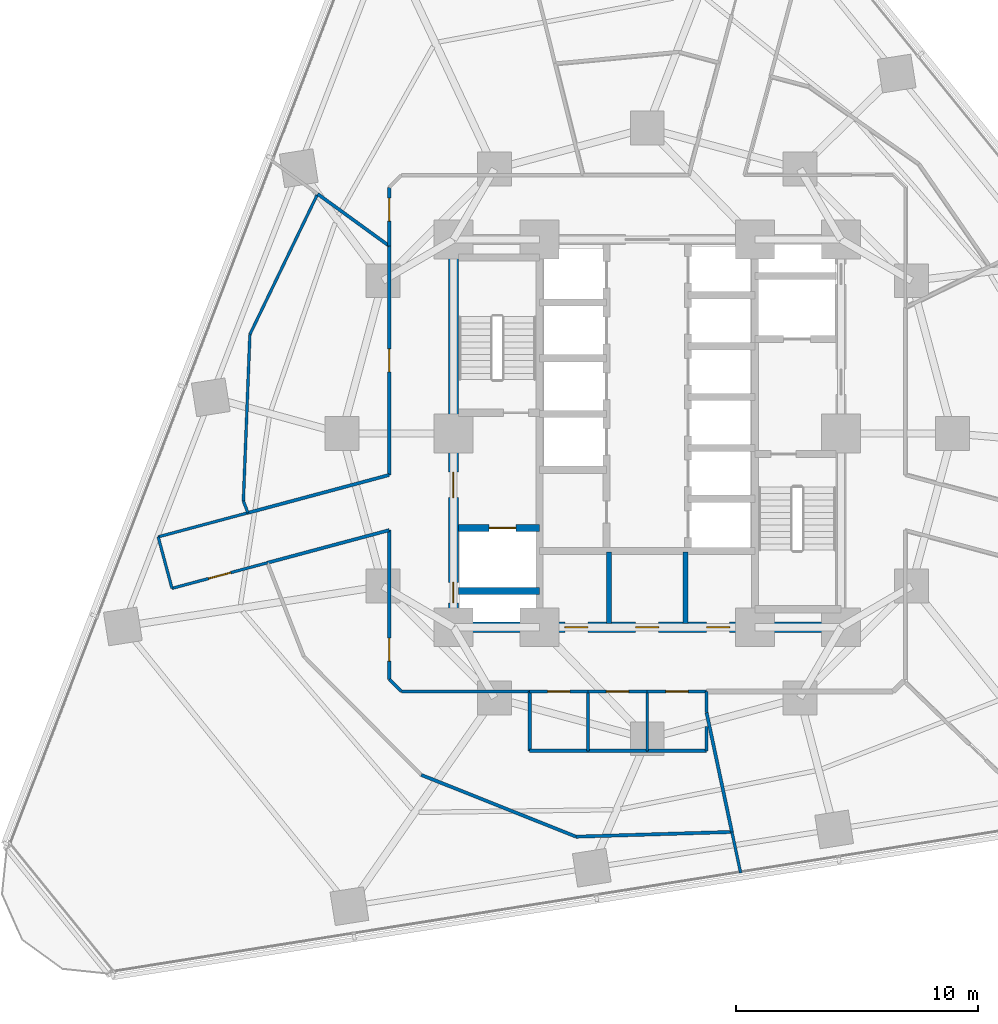
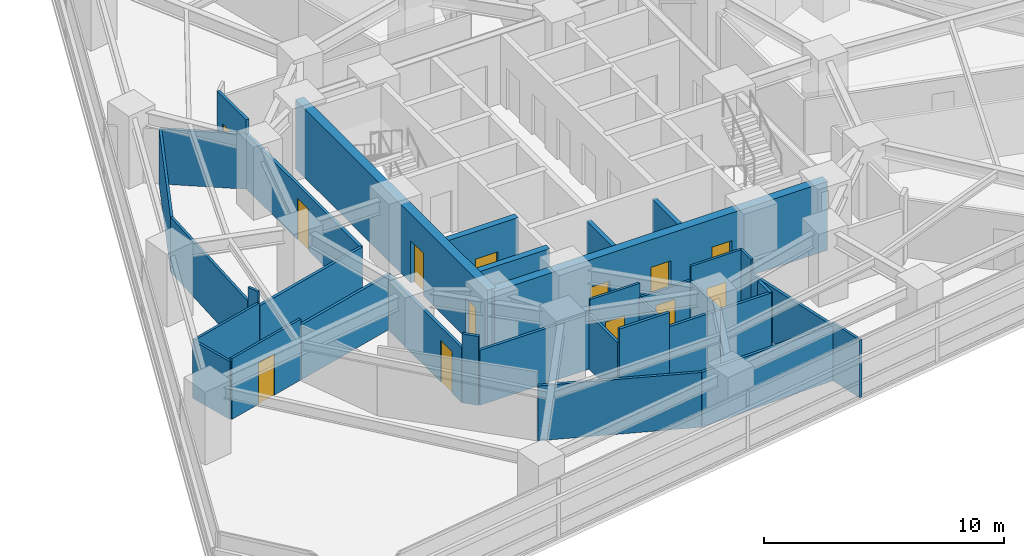
# One storey, part 7 of 14: 35 walls, 13 doors, 13 openings.
"""IFC4 building model written with IfcOpenShell, lengths in metres."""

from ifc_helpers import new_model, si_unit, direction, frame, frame_2d, origin, place, context, subcontext, project, spatial, rectangle, extrude, material, layer, layer_set, type_object, element, fill, save


model = new_model("IFC4")

# Units and contexts
model_context = context("Model", 3, precision=1e-05, world=origin(), true_north=direction((0.0, 1.0)))
body_context = subcontext(model_context, "Body", "Model", "MODEL_VIEW")
ifc_project = project(units=[si_unit("LENGTHUNIT", "METRE"), si_unit("AREAUNIT", "SQUARE_METRE"), si_unit("VOLUMEUNIT", "CUBIC_METRE"), si_unit("PLANEANGLEUNIT", "RADIAN"), si_unit("MASSUNIT", "GRAM", prefix="KILO")], contexts=[model_context])

# Site, building, storey
site_placement = place(None, origin())
site = spatial("IfcSite", under=ifc_project, at=site_placement, CompositionType="ELEMENT")
building_placement = place(site_placement, origin())
building = spatial("IfcBuilding", under=site, at=building_placement, Name="Terralouvre Media Tower", CompositionType="ELEMENT")
storey_placement = place(building_placement, frame((0.0, 0.0, 74.10009765625)))
storey = spatial("IfcBuildingStorey", under=building, at=storey_placement, Name="L18", CompositionType="ELEMENT", Elevation=74.10009765625)

# Wall, opening, door
ifc_material_1 = material(Name="Concrete C50/60", Category="concrete")
ifc_layer_1 = layer(ifc_material_1, 0.300048828125, Name="Core Internal Shaft Wall CW-300")
ifc_layer_set_1 = layer_set([ifc_layer_1], Name="Concrete C50/60")
wall_type_1 = type_object("IfcWallType", Name="Core Internal Shaft Wall CW-300", PredefinedType="SHEAR", material=ifc_layer_set_1)
wall_1_placement = place(storey_placement, frame((-7.7900390625, -3.89990234375, 0.0), z_axis=(0.0, 0.0, 1.0), x_axis=(1.0, 0.0, 0.0)))
wall_1 = element("IfcWall", 1, at=wall_1_placement, inside=storey, type_object=wall_type_1, Name="L18 Core Shaft Wall FF1N", PredefinedType="SHEAR", context=body_context, shape_type="SweptSolid", body=[
    extrude(rectangle(XDim=3.340087890625, YDim=0.300048828125, at=frame_2d((1.669921875, 0.0))), origin(), (0.0, 0.0, 1.0), 3.5),
])
opening_1_placement = place(wall_1_placement, frame((1.27001953125, 0.0, 0.0)))
opening_1 = element("IfcOpeningElement", 2, at=opening_1_placement, cuts=wall_1, Name="Opening LD-FF", PredefinedType="OPENING", context=body_context, shape_type="SweptSolid", body=[
    extrude(rectangle(XDim=1.10009765625, YDim=2.10009765625, at=frame_2d((0.550048828125, 1.050048828125))), frame((0.0, 0.159912109375, 0.0), z_axis=(0.0, -1.0, 0.0), x_axis=(1.0, 0.0, 0.0)), (0.0, 0.0, 1.0), 0.320068359375),
])
ifc_material_2 = material(Name="Stainless steel 316 handrail and balustrade", Category="steel")
door_type_1 = type_object("IfcDoorType", Name="Firefighting Lift Sliding Landing Door LD-FF", OperationType="SLIDING_TO_LEFT", PredefinedType="DOOR", material=ifc_material_2)
door_1_placement = place(opening_1_placement, origin())
door_1 = element("IfcDoor", 3, at=door_1_placement, inside=storey, type_object=door_type_1, Name="L18 Firefighting Lift FFL-01 Landing Door", OperationType="SLIDING_TO_LEFT", OverallHeight=2.10009765625, OverallWidth=1.10009765625, PredefinedType="DOOR", context=body_context, shape_type="SweptSolid", body=[
    extrude(rectangle(XDim=1.10009765625, YDim=2.10009765625, at=frame_2d((0.550048828125, 1.050048828125))), frame((0.0, 0.02490234375, 0.0), z_axis=(0.0, -1.0, 0.0), x_axis=(1.0, 0.0, 0.0)), (0.0, 0.0, 1.0), 0.050048828125),
])
fill(opening_1, door_1)

# Wall
wall_2_placement = place(storey_placement, frame((-7.7900390625, -6.5, 0.0), z_axis=(0.0, 0.0, 1.0), x_axis=(1.0, 0.0, 0.0)))
element("IfcWall", 4, at=wall_2_placement, inside=storey, type_object=wall_type_1, Name="L18 Core Shaft Wall FF1S", PredefinedType="SHEAR", context=body_context, shape_type="SweptSolid", body=[
    extrude(rectangle(XDim=3.340087890625, YDim=0.300048828125, at=frame_2d((1.669921875, 0.0))), origin(), (0.0, 0.0, 1.0), 3.5),
])

# Wall, openings, doors
ifc_material_3 = material(Name="Concrete C60/75", Category="concrete")
ifc_layer_2 = layer(ifc_material_3, 0.419921875, Name="Core Reinforced Concrete Shear Wall CW-420")
ifc_layer_set_2 = layer_set([ifc_layer_2], Name="Concrete C60/75")
wall_type_2 = type_object("IfcWallType", Name="Core Reinforced Concrete Shear Wall CW-420", PredefinedType="SHEAR", material=ifc_layer_set_2)
wall_3_placement = place(storey_placement, frame((-8.0, -8.0, 0.0), z_axis=(0.0, 0.0, 1.0), x_axis=(0.0, 1.0, 0.0)))
wall_3 = element("IfcWall", 5, at=wall_3_placement, inside=storey, type_object=wall_type_2, Name="L18 W Core Shear Wall", PredefinedType="SHEAR", context=body_context, shape_type="SweptSolid", body=[
    extrude(rectangle(XDim=16.0, YDim=0.419921875, at=frame_2d((8.0, 0.0))), origin(), (0.0, 0.0, 1.0), 3.5),
])
opening_2_placement = place(wall_3_placement, frame((1.001708984375, 0.0, 0.0)))
opening_2 = element("IfcOpeningElement", 6, at=opening_2_placement, cuts=wall_3, Name="Opening TD-R1", PredefinedType="OPENING", context=body_context, shape_type="SweptSolid", body=[
    extrude(rectangle(XDim=0.85009765625, YDim=2.02001953125, at=frame_2d((0.425048828125, 1.010009765625))), frame((0.0, 0.219970703125, 0.0), z_axis=(0.0, -1.0, 0.0), x_axis=(1.0, 0.0, 0.0)), (0.0, 0.0, 1.0), 0.43994140625),
])
opening_3_placement = place(wall_3_placement, frame((5.35009765625, 0.0, 0.0)))
opening_3 = element("IfcOpeningElement", 7, at=opening_3_placement, cuts=wall_3, Name="Opening FD-01-105X215", PredefinedType="OPENING", context=body_context, shape_type="SweptSolid", body=[
    extrude(rectangle(XDim=1.050048828125, YDim=2.14990234375, at=frame_2d((0.52490234375, 1.074951171875))), frame((0.0, 0.219970703125, 0.0), z_axis=(0.0, -1.0, 0.0), x_axis=(1.0, 0.0, 0.0)), (0.0, 0.0, 1.0), 0.43994140625),
])
ifc_material_4 = material(Name="Galvanised steel fire-resisting leaf", Category="steel")
door_type_2 = type_object("IfcDoorType", Name="Riser Inspection Access Trapdoor TD-R1", OperationType="NOTDEFINED", PredefinedType="TRAPDOOR", material=ifc_material_4)
door_2_placement = place(opening_2_placement, origin())
door_2 = element("IfcDoor", 8, at=door_2_placement, inside=storey, type_object=door_type_2, Name="L18 Wet Riser Access Trapdoor", OperationType="SINGLE_SWING_LEFT", OverallHeight=2.02001953125, OverallWidth=0.85009765625, PredefinedType="TRAPDOOR", context=body_context, shape_type="SweptSolid", body=[
    extrude(rectangle(XDim=0.85009765625, YDim=2.02001953125, at=frame_2d((0.425048828125, 1.010009765625))), frame((0.0, 0.02490234375, 0.0), z_axis=(0.0, -1.0, 0.0), x_axis=(1.0, 0.0, 0.0)), (0.0, 0.0, 1.0), 0.050048828125),
])
fill(opening_2, door_2)
ifc_material_5 = material(Name="Galvanised steel fire-resisting leaf", Category="steel")
door_type_3 = type_object("IfcDoorType", Name="Stair and Firefighting Lobby Fire Door FD-01 (1050x2150)", OperationType="NOTDEFINED", PredefinedType="DOOR", material=ifc_material_5)
door_3_placement = place(opening_3_placement, origin())
door_3 = element("IfcDoor", 9, at=door_3_placement, inside=storey, type_object=door_type_3, Name="L18 West Firefighting Lobby Entry Door", OperationType="SINGLE_SWING_RIGHT", OverallHeight=2.14990234375, OverallWidth=1.050048828125, PredefinedType="DOOR", context=body_context, shape_type="SweptSolid", body=[
    extrude(rectangle(XDim=1.050048828125, YDim=2.14990234375, at=frame_2d((0.52490234375, 1.074951171875))), frame((0.0, 0.02490234375, 0.0), z_axis=(0.0, -1.0, 0.0), x_axis=(1.0, 0.0, 0.0)), (0.0, 0.0, 1.0), 0.050048828125),
])
fill(opening_3, door_3)

wall_4_placement = place(storey_placement, frame((-8.0, -8.0, 0.0), z_axis=(0.0, 0.0, 1.0), x_axis=(1.0, 0.0, 0.0)))
wall_4 = element("IfcWall", 10, at=wall_4_placement, inside=storey, type_object=wall_type_2, Name="L18 S Core Shear Wall", PredefinedType="SHEAR", context=body_context, shape_type="SweptSolid", body=[
    extrude(rectangle(XDim=16.0, YDim=0.419921875, at=frame_2d((8.0, 0.0))), origin(), (0.0, 0.0, 1.0), 3.5),
])
opening_4_placement = place(wall_4_placement, frame((4.60009765625, 0.0, 0.0)))
opening_4 = element("IfcOpeningElement", 11, at=opening_4_placement, cuts=wall_4, Name="Opening FD-02-95X210", PredefinedType="OPENING", context=body_context, shape_type="SweptSolid", body=[
    extrude(rectangle(XDim=0.949951171875, YDim=2.10009765625, at=frame_2d((0.47509765625, 1.050048828125))), frame((0.0, 0.219970703125, 0.0), z_axis=(0.0, -1.0, 0.0), x_axis=(1.0, 0.0, 0.0)), (0.0, 0.0, 1.0), 0.43994140625),
])
opening_5_placement = place(wall_4_placement, frame((7.52001953125, 0.0, 0.0)))
opening_5 = element("IfcOpeningElement", 12, at=opening_5_placement, cuts=wall_4, Name="Opening FD-02-95X210", PredefinedType="OPENING", context=body_context, shape_type="SweptSolid", body=[
    extrude(rectangle(XDim=0.949951171875, YDim=2.10009765625, at=frame_2d((0.47509765625, 1.050048828125))), frame((0.0, 0.219970703125, 0.0), z_axis=(0.0, -1.0, 0.0), x_axis=(1.0, 0.0, 0.0)), (0.0, 0.0, 1.0), 0.43994140625),
])
opening_6_placement = place(wall_4_placement, frame((10.449951171875, 0.0, 0.0)))
opening_6 = element("IfcOpeningElement", 13, at=opening_6_placement, cuts=wall_4, Name="Opening FD-02-95X210", PredefinedType="OPENING", context=body_context, shape_type="SweptSolid", body=[
    extrude(rectangle(XDim=0.949951171875, YDim=2.10009765625, at=frame_2d((0.47509765625, 1.050048828125))), frame((0.0, 0.219970703125, 0.0), z_axis=(0.0, -1.0, 0.0), x_axis=(1.0, 0.0, 0.0)), (0.0, 0.0, 1.0), 0.43994140625),
])
ifc_material_6 = material(Name="Galvanised steel fire-resisting leaf", Category="steel")
door_type_4 = type_object("IfcDoorType", Name="Plant and Riser Fire Door FD-02 (950x2100)", OperationType="NOTDEFINED", PredefinedType="DOOR", material=ifc_material_6)
door_4_placement = place(opening_4_placement, origin())
door_4 = element("IfcDoor", 14, at=door_4_placement, inside=storey, type_object=door_type_4, Name="L18 Core Janitor Store Door", OperationType="SINGLE_SWING_LEFT", OverallHeight=2.10009765625, OverallWidth=0.949951171875, PredefinedType="DOOR", context=body_context, shape_type="SweptSolid", body=[
    extrude(rectangle(XDim=0.949951171875, YDim=2.10009765625, at=frame_2d((0.47509765625, 1.050048828125))), frame((0.0, 0.02490234375, 0.0), z_axis=(0.0, -1.0, 0.0), x_axis=(1.0, 0.0, 0.0)), (0.0, 0.0, 1.0), 0.050048828125),
])
fill(opening_4, door_4)
door_5_placement = place(opening_5_placement, origin())
door_5 = element("IfcDoor", 15, at=door_5_placement, inside=storey, type_object=door_type_4, Name="L18 Core Linen Store Door", OperationType="SINGLE_SWING_RIGHT", OverallHeight=2.10009765625, OverallWidth=0.949951171875, PredefinedType="DOOR", context=body_context, shape_type="SweptSolid", body=[
    extrude(rectangle(XDim=0.949951171875, YDim=2.10009765625, at=frame_2d((0.47509765625, 1.050048828125))), frame((0.0, 0.02490234375, 0.0), z_axis=(0.0, -1.0, 0.0), x_axis=(1.0, 0.0, 0.0)), (0.0, 0.0, 1.0), 0.050048828125),
])
fill(opening_5, door_5)
door_6_placement = place(opening_6_placement, origin())
door_6 = element("IfcDoor", 16, at=door_6_placement, inside=storey, type_object=door_type_4, Name="L18 Core Metering Plant Door", OperationType="SINGLE_SWING_LEFT", OverallHeight=2.10009765625, OverallWidth=0.949951171875, PredefinedType="DOOR", context=body_context, shape_type="SweptSolid", body=[
    extrude(rectangle(XDim=0.949951171875, YDim=2.10009765625, at=frame_2d((0.47509765625, 1.050048828125))), frame((0.0, 0.02490234375, 0.0), z_axis=(0.0, -1.0, 0.0), x_axis=(1.0, 0.0, 0.0)), (0.0, 0.0, 1.0), 0.050048828125),
])
fill(opening_6, door_6)

# Walls
ifc_material_7 = material(Name="Fire-rated gypsum board drywall partition")
ifc_layer_3 = layer(ifc_material_7, 0.199951171875, Name="Fire-Rated Shaft and Lobby Partition FW-200")
ifc_layer_set_3 = layer_set([ifc_layer_3], Name="Fire-rated gypsum board drywall partition")
wall_type_3 = type_object("IfcWallType", Name="Fire-Rated Shaft and Lobby Partition FW-200", PredefinedType="SOLIDWALL", material=ifc_layer_set_3)
for number, where, z_axis, x_axis, name in (
    (17, (-1.580078125, -7.85009765625, 0.0), (0.0, 0.0, 1.0), (0.0, 1.0, 0.0), "L18 Core Service Bay Partition 1"),
    (18, (1.580078125, -7.85009765625, 0.0), (0.0, 0.0, 1.0), (0.0, 1.0, 0.0), "L18 Core Service Bay Partition 2"),
):
    element("IfcWall", number, at=place(storey_placement, frame(where, z_axis=z_axis, x_axis=x_axis)), inside=storey, type_object=wall_type_3, Name=name, PredefinedType="SOLIDWALL", context=body_context, shape_type="SweptSolid", body=[
        extrude(rectangle(XDim=2.9501953125, YDim=0.199951171875, at=frame_2d((1.47509765625, 0.0))), origin(), (0.0, 0.0, 1.0), 2.885009765625),
    ])
ifc_material_8 = material(Name="Fire-rated gypsum board drywall partition")
ifc_layer_4 = layer(ifc_material_8, 0.135009765625, Name="Newsroom Acoustic Partition PT-135")
ifc_layer_set_4 = layer_set([ifc_layer_4], Name="Fire-rated gypsum board drywall partition")
wall_type_4 = type_object("IfcWallType", Name="Newsroom Acoustic Partition PT-135", PredefinedType="PARTITIONING", material=ifc_layer_set_4)
wall_5_placement = place(storey_placement, frame((-15.677001953125, -5.339111328125, 0.0), z_axis=(0.0, 0.0, 1.0), x_axis=(0.965918107115, 0.258847851734, 0.0)))
element("IfcWall", 19, at=wall_5_placement, inside=storey, type_object=wall_type_4, Name="L18 Interior Partition 006", PredefinedType="PARTITIONING", context=body_context, shape_type="SweptSolid", body=[
    extrude(rectangle(XDim=5.20458984375, YDim=0.135009765625, at=frame_2d((2.602294921875, 0.0))), origin(), (0.0, 0.0, 1.0), 2.784912109375),
])

# Wall, opening, door
wall_6_placement = place(storey_placement, frame((-10.64990234375, -3.991943359375, 0.0), z_axis=(0.0, 0.0, 1.0), x_axis=(0.0, -1.0, 0.0)))
wall_6 = element("IfcWall", 20, at=wall_6_placement, inside=storey, type_object=wall_type_4, Name="L18 Interior Partition 007", PredefinedType="PARTITIONING", context=body_context, shape_type="SweptSolid", body=[
    extrude(rectangle(XDim=6.157958984375, YDim=0.135009765625, at=frame_2d((3.0791015625, 0.0))), origin(), (0.0, 0.0, 1.0), 2.784912109375),
])
opening_7_placement = place(wall_6_placement, frame((4.451416015625, 0.0, 0.0)))
opening_7 = element("IfcOpeningElement", 21, at=opening_7_placement, cuts=wall_6, Name="Opening ID-02-95X210", PredefinedType="OPENING", context=body_context, shape_type="SweptSolid", body=[
    extrude(rectangle(XDim=0.949951171875, YDim=2.10009765625, at=frame_2d((0.47509765625, 1.050048828125))), frame((0.0, 0.077392578125, 0.0), z_axis=(0.0, -1.0, 0.0), x_axis=(1.0, 0.0, 0.0)), (0.0, 0.0, 1.0), 0.155029296875),
])
ifc_material_9 = material(Name="Engineered hardwood acoustic timber leaf", Category="wood")
door_type_5 = type_object("IfcDoorType", Name="Office and Meeting Room Door ID-02 (950x2100)", OperationType="NOTDEFINED", PredefinedType="DOOR", material=ifc_material_9)
door_7_placement = place(opening_7_placement, origin())
door_7 = element("IfcDoor", 22, at=door_7_placement, inside=storey, type_object=door_type_5, Name="L18 Acoustic Listening Study 2 Door", OperationType="SINGLE_SWING_LEFT", OverallHeight=2.10009765625, OverallWidth=0.949951171875, PredefinedType="DOOR", context=body_context, shape_type="SweptSolid", body=[
    extrude(rectangle(XDim=0.949951171875, YDim=2.10009765625, at=frame_2d((0.47509765625, 1.050048828125))), frame((0.0, 0.02490234375, 0.0), z_axis=(0.0, -1.0, 0.0), x_axis=(1.0, 0.0, 0.0)), (0.0, 0.0, 1.0), 0.050048828125),
])
fill(opening_7, door_7)

# Walls
wall_7_placement = place(storey_placement, frame((-10.64990234375, -10.14990234375, 0.0), z_axis=(0.0, 0.0, 1.0), x_axis=(0.707106781187, -0.707106781187, 0.0)))
element("IfcWall", 23, at=wall_7_placement, inside=storey, type_object=wall_type_4, Name="L18 Interior Partition 008", PredefinedType="PARTITIONING", context=body_context, shape_type="SweptSolid", body=[
    extrude(rectangle(XDim=0.70703125, YDim=0.135009765625, at=frame_2d((0.353515625, 0.0))), origin(), (0.0, 0.0, 1.0), 3.5),
])
wall_8_placement = place(storey_placement, frame((-10.14990234375, -10.64990234375, 0.0), z_axis=(0.0, 0.0, 1.0), x_axis=(1.0, 0.0, 0.0)))
element("IfcWall", 24, at=wall_8_placement, inside=storey, type_object=wall_type_4, Name="L18 Interior Partition 009", PredefinedType="PARTITIONING", context=body_context, shape_type="SweptSolid", body=[
    extrude(rectangle(XDim=5.2998046875, YDim=0.135009765625, at=frame_2d((2.64990234375, 0.0))), origin(), (0.0, 0.0, 1.0), 2.784912109375),
])

# Wall, opening, door
wall_9_placement = place(storey_placement, frame((-10.64990234375, 7.738037109375, 0.0), z_axis=(0.0, 0.0, 1.0), x_axis=(0.0, -1.0, 0.0)))
wall_9 = element("IfcWall", 25, at=wall_9_placement, inside=storey, type_object=wall_type_4, Name="L18 Interior Partition 018", PredefinedType="PARTITIONING", context=body_context, shape_type="SweptSolid", body=[
    extrude(rectangle(XDim=9.453125, YDim=0.135009765625, at=frame_2d((4.7265625, 0.0))), origin(), (0.0, 0.0, 1.0), 2.784912109375),
])
opening_8_placement = place(wall_9_placement, frame((4.25146484375, 0.0, 0.0)))
opening_8 = element("IfcOpeningElement", 26, at=opening_8_placement, cuts=wall_9, Name="Opening ID-02-95X210", PredefinedType="OPENING", context=body_context, shape_type="SweptSolid", body=[
    extrude(rectangle(XDim=0.949951171875, YDim=2.10009765625, at=frame_2d((0.47509765625, 1.050048828125))), frame((0.0, 0.077392578125, 0.0), z_axis=(0.0, -1.0, 0.0), x_axis=(1.0, 0.0, 0.0)), (0.0, 0.0, 1.0), 0.155029296875),
])
door_8_placement = place(opening_8_placement, origin())
door_8 = element("IfcDoor", 27, at=door_8_placement, inside=storey, type_object=door_type_5, Name="L18 Audio Tape Archive Storage 6 Door", OperationType="SINGLE_SWING_LEFT", OverallHeight=2.10009765625, OverallWidth=0.949951171875, PredefinedType="DOOR", context=body_context, shape_type="SweptSolid", body=[
    extrude(rectangle(XDim=0.949951171875, YDim=2.10009765625, at=frame_2d((0.47509765625, 1.050048828125))), frame((0.0, 0.02490234375, 0.0), z_axis=(0.0, -1.0, 0.0), x_axis=(1.0, 0.0, 0.0)), (0.0, 0.0, 1.0), 0.050048828125),
])
fill(opening_8, door_8)

# Wall
wall_10_placement = place(storey_placement, frame((-10.64990234375, -1.715087890625, 0.0), z_axis=(0.0, 0.0, 1.0), x_axis=(-0.965921324617, -0.258835844987, 0.0)))
element("IfcWall", 28, at=wall_10_placement, inside=storey, type_object=wall_type_4, Name="L18 Interior Partition 019", PredefinedType="PARTITIONING", context=body_context, shape_type="SweptSolid", body=[
    extrude(rectangle(XDim=6.03466796875, YDim=0.135009765625, at=frame_2d((3.017333984375, 0.0))), origin(), (0.0, 0.0, 1.0), 2.784912109375),
])

# Wall, opening, door
wall_11_placement = place(storey_placement, frame((-10.64990234375, 10.14990234375, 0.0), z_axis=(0.0, 0.0, 1.0), x_axis=(0.0, -1.0, 0.0)))
wall_11 = element("IfcWall", 29, at=wall_11_placement, inside=storey, type_object=wall_type_4, Name="L18 Interior Partition 031", PredefinedType="PARTITIONING", context=body_context, shape_type="SweptSolid", body=[
    extrude(rectangle(XDim=2.411865234375, YDim=0.135009765625, at=frame_2d((1.2060546875, 0.0))), origin(), (0.0, 0.0, 1.0), 3.5),
])
opening_9_placement = place(wall_11_placement, frame((0.441650390625, 0.0, 0.0)))
opening_9 = element("IfcOpeningElement", 30, at=opening_9_placement, cuts=wall_11, Name="Opening ID-02-95X210", PredefinedType="OPENING", context=body_context, shape_type="SweptSolid", body=[
    extrude(rectangle(XDim=0.949951171875, YDim=2.10009765625, at=frame_2d((0.47509765625, 1.050048828125))), frame((0.0, 0.077392578125, 0.0), z_axis=(0.0, -1.0, 0.0), x_axis=(1.0, 0.0, 0.0)), (0.0, 0.0, 1.0), 0.155029296875),
])
door_9_placement = place(opening_9_placement, origin())
door_9 = element("IfcDoor", 31, at=door_9_placement, inside=storey, type_object=door_type_5, Name="L18 Audio Producer Office 9 Door", OperationType="SINGLE_SWING_RIGHT", OverallHeight=2.10009765625, OverallWidth=0.949951171875, PredefinedType="DOOR", context=body_context, shape_type="SweptSolid", body=[
    extrude(rectangle(XDim=0.949951171875, YDim=2.10009765625, at=frame_2d((0.47509765625, 1.050048828125))), frame((0.0, 0.02490234375, 0.0), z_axis=(0.0, -1.0, 0.0), x_axis=(1.0, 0.0, 0.0)), (0.0, 0.0, 1.0), 0.050048828125),
])
fill(opening_9, door_9)

# Walls
wall_12_placement = place(storey_placement, frame((-9.327880859375, -14.093017578125, 0.0), z_axis=(0.0, 0.0, 1.0), x_axis=(0.928830986118, -0.370503710139, 0.0)))
element("IfcWall", 32, at=wall_12_placement, inside=storey, type_object=wall_type_4, Name="L18 Interior Partition 037", PredefinedType="PARTITIONING", context=body_context, shape_type="SweptSolid", body=[
    extrude(rectangle(XDim=6.882568359375, YDim=0.135009765625, at=frame_2d((3.44140625, 0.0))), origin(), (0.0, 0.0, 1.0), 2.784912109375),
])
wall_13_placement = place(storey_placement, frame((-2.93505859375, -16.64306640625, 0.0), z_axis=(0.0, 0.0, 1.0), x_axis=(0.999535697464, 0.030469484666, 0.0)))
element("IfcWall", 33, at=wall_13_placement, inside=storey, type_object=wall_type_4, Name="L18 Interior Partition 038", PredefinedType="PARTITIONING", context=body_context, shape_type="SweptSolid", body=[
    extrude(rectangle(XDim=6.43408203125, YDim=0.135009765625, at=frame_2d((3.217041015625, 0.0))), origin(), (0.0, 0.0, 1.0), 2.784912109375),
])
wall_14_placement = place(storey_placement, frame((-2.449951171875, -13.10009765625, 0.0), z_axis=(0.0, 0.0, 1.0), x_axis=(-1.0, 0.0, 0.0)))
element("IfcWall", 34, at=wall_14_placement, inside=storey, type_object=wall_type_4, Name="L18 Interior Partition 039", PredefinedType="PARTITIONING", context=body_context, shape_type="SweptSolid", body=[
    extrude(rectangle(XDim=2.400146484375, YDim=0.135009765625, at=frame_2d((1.2001953125, 0.0))), origin(), (0.0, 0.0, 1.0), 3.5),
])
wall_15_placement = place(storey_placement, frame((-4.85009765625, -13.10009765625, 0.0), z_axis=(0.0, 0.0, 1.0), x_axis=(0.0, 1.0, 0.0)))
element("IfcWall", 35, at=wall_15_placement, inside=storey, type_object=wall_type_4, Name="L18 Interior Partition 040", PredefinedType="PARTITIONING", context=body_context, shape_type="SweptSolid", body=[
    extrude(rectangle(XDim=2.4501953125, YDim=0.135009765625, at=frame_2d((1.22509765625, 0.0))), origin(), (0.0, 0.0, 1.0), 2.784912109375),
])
wall_16_placement = place(storey_placement, frame((0.0, -13.10009765625, 0.0), z_axis=(0.0, 0.0, 1.0), x_axis=(-1.0, 0.0, 0.0)))
element("IfcWall", 36, at=wall_16_placement, inside=storey, type_object=wall_type_4, Name="L18 Interior Partition 041", PredefinedType="PARTITIONING", context=body_context, shape_type="SweptSolid", body=[
    extrude(rectangle(XDim=2.449951171875, YDim=0.135009765625, at=frame_2d((1.22509765625, 0.0))), origin(), (0.0, 0.0, 1.0), 2.784912109375),
])
wall_17_placement = place(storey_placement, frame((2.449951171875, -12.103271484375, 0.0), z_axis=(0.0, 0.0, 1.0), x_axis=(0.0, -1.0, 0.0)))
element("IfcWall", 37, at=wall_17_placement, inside=storey, type_object=wall_type_4, Name="L18 Interior Partition 042", PredefinedType="PARTITIONING", context=body_context, shape_type="SweptSolid", body=[
    extrude(rectangle(XDim=0.996826171875, YDim=0.135009765625, at=frame_2d((0.49853515625, 0.0))), origin(), (0.0, 0.0, 1.0), 2.784912109375),
])
wall_18_placement = place(storey_placement, frame((2.449951171875, -13.10009765625, 0.0), z_axis=(0.0, 0.0, 1.0), x_axis=(-1.0, 0.0, 0.0)))
element("IfcWall", 38, at=wall_18_placement, inside=storey, type_object=wall_type_4, Name="L18 Interior Partition 043", PredefinedType="PARTITIONING", context=body_context, shape_type="SweptSolid", body=[
    extrude(rectangle(XDim=2.449951171875, YDim=0.135009765625, at=frame_2d((1.22509765625, 0.0))), origin(), (0.0, 0.0, 1.0), 2.784912109375),
])
wall_19_placement = place(storey_placement, frame((3.49609375, -16.447021484375, 0.0), z_axis=(0.0, 0.0, 1.0), x_axis=(-0.207934783689, 0.978142691908, 0.0)))
element("IfcWall", 39, at=wall_19_placement, inside=storey, type_object=wall_type_4, Name="L18 Interior Partition 044", PredefinedType="PARTITIONING", context=body_context, shape_type="SweptSolid", body=[
    extrude(rectangle(XDim=5.031005859375, YDim=0.135009765625, at=frame_2d((2.515625, 0.0))), origin(), (0.0, 0.0, 1.0), 2.784912109375),
])
wall_20_placement = place(storey_placement, frame((-10.64990234375, 7.738037109375, 0.0), z_axis=(0.0, 0.0, 1.0), x_axis=(-0.809088823189, 0.587686375706, 0.0)))
element("IfcWall", 40, at=wall_20_placement, inside=storey, type_object=wall_type_4, Name="L18 Interior Partition 057", PredefinedType="PARTITIONING", context=body_context, shape_type="SweptSolid", body=[
    extrude(rectangle(XDim=3.64990234375, YDim=0.135009765625, at=frame_2d((1.824951171875, 0.0))), origin(), (0.0, 0.0, 1.0), 2.784912109375),
])
ifc_material_10 = material(Name="Fire-rated gypsum board drywall partition")
ifc_layer_5 = layer(ifc_material_10, 0.114990234375, Name="Restroom and Pantry Partition PT-115")
ifc_layer_set_5 = layer_set([ifc_layer_5], Name="Fire-rated gypsum board drywall partition")
wall_type_5 = type_object("IfcWallType", Name="Restroom and Pantry Partition PT-115", PredefinedType="PARTITIONING", material=ifc_layer_set_5)
wall_21_placement = place(storey_placement, frame((-16.47900390625, -3.277099609375, 0.0), z_axis=(0.0, 0.0, 1.0), x_axis=(-0.965962825479, -0.258680922747, 0.0)))
element("IfcWall", 41, at=wall_21_placement, inside=storey, type_object=wall_type_5, Name="L18 Interior Partition 012", PredefinedType="PARTITIONING", context=body_context, shape_type="SweptSolid", body=[
    extrude(rectangle(XDim=3.834716796875, YDim=0.114990234375, at=frame_2d((1.91748046875, 0.0))), origin(), (0.0, 0.0, 1.0), 2.934814453125),
])
wall_22_placement = place(storey_placement, frame((-20.18310546875, -4.26904296875, 0.0), z_axis=(0.0, 0.0, 1.0), x_axis=(0.259105843213, -0.965848933329, 0.0)))
element("IfcWall", 42, at=wall_22_placement, inside=storey, type_object=wall_type_5, Name="L18 Interior Partition 013", PredefinedType="PARTITIONING", context=body_context, shape_type="SweptSolid", body=[
    extrude(rectangle(XDim=2.2001953125, YDim=0.114990234375, at=frame_2d((1.10009765625, 0.0))), origin(), (0.0, 0.0, 1.0), 2.934814453125),
])

# Wall, opening, door
wall_23_placement = place(storey_placement, frame((-19.613037109375, -6.39404296875, 0.0), z_axis=(0.0, 0.0, 1.0), x_axis=(0.965909002028, 0.258881825937, 0.0)))
wall_23 = element("IfcWall", 43, at=wall_23_placement, inside=storey, type_object=wall_type_5, Name="L18 Interior Partition 014", PredefinedType="PARTITIONING", context=body_context, shape_type="SweptSolid", body=[
    extrude(rectangle(XDim=4.074951171875, YDim=0.114990234375, at=frame_2d((2.03759765625, 0.0))), origin(), (0.0, 0.0, 1.0), 3.0849609375),
])
opening_10_placement = place(wall_23_placement, frame((1.5625, 0.0, 0.0)))
opening_10 = element("IfcOpeningElement", 44, at=opening_10_placement, cuts=wall_23, Name="Opening SD-01-95X210", PredefinedType="OPENING", context=body_context, shape_type="SweptSolid", body=[
    extrude(rectangle(XDim=0.949951171875, YDim=2.10009765625, at=frame_2d((0.47509765625, 1.050048828125))), frame((0.0, 0.0673828125, 0.0), z_axis=(0.0, -1.0, 0.0), x_axis=(1.0, 0.0, 0.0)), (0.0, 0.0, 1.0), 0.135009765625),
])
ifc_material_11 = material(Name="Anodised extruded aluminium 6063-T6", Category="aluminium")
door_type_6 = type_object("IfcDoorType", Name="Pantry Pocket Sliding Door SD-01 (950x2100)", OperationType="SLIDING_TO_LEFT", PredefinedType="DOOR", material=ifc_material_11)
door_10_placement = place(opening_10_placement, origin())
door_10 = element("IfcDoor", 45, at=door_10_placement, inside=storey, type_object=door_type_6, Name="L18 Artist Hospitality Kitchen 4 Door", OperationType="SLIDING_TO_LEFT", OverallHeight=2.10009765625, OverallWidth=0.949951171875, PredefinedType="DOOR", context=body_context, shape_type="SweptSolid", body=[
    extrude(rectangle(XDim=0.949951171875, YDim=2.10009765625, at=frame_2d((0.47509765625, 1.050048828125))), frame((0.0, 0.02490234375, 0.0), z_axis=(0.0, -1.0, 0.0), x_axis=(1.0, 0.0, 0.0)), (0.0, 0.0, 1.0), 0.050048828125),
])
fill(opening_10, door_10)

wall_24_placement = place(storey_placement, frame((-4.85009765625, -10.64990234375, 0.0), z_axis=(0.0, 0.0, 1.0), x_axis=(1.0, 0.0, 0.0)))
wall_24 = element("IfcWall", 46, at=wall_24_placement, inside=storey, type_object=wall_type_5, Name="L18 Interior Partition 024", PredefinedType="PARTITIONING", context=body_context, shape_type="SweptSolid", body=[
    extrude(rectangle(XDim=2.400146484375, YDim=0.114990234375, at=frame_2d((1.2001953125, 0.0))), origin(), (0.0, 0.0, 1.0), 3.5),
])
opening_11_placement = place(wall_24_placement, frame((0.739990234375, 0.0, 0.0)))
opening_11 = element("IfcOpeningElement", 47, at=opening_11_placement, cuts=wall_24, Name="Opening ID-03-92X210", PredefinedType="OPENING", context=body_context, shape_type="SweptSolid", body=[
    extrude(rectangle(XDim=0.919921875, YDim=2.10009765625, at=frame_2d((0.4599609375, 1.050048828125))), frame((0.0, 0.0673828125, 0.0), z_axis=(0.0, -1.0, 0.0), x_axis=(1.0, 0.0, 0.0)), (0.0, 0.0, 1.0), 0.135009765625),
])
ifc_material_12 = material(Name="Engineered hardwood acoustic timber leaf", Category="wood")
door_type_7 = type_object("IfcDoorType", Name="Accessible Restroom and Suite Door ID-03 (920x2100)", OperationType="NOTDEFINED", PredefinedType="DOOR", material=ifc_material_12)
door_11_placement = place(opening_11_placement, origin())
door_11 = element("IfcDoor", 48, at=door_11_placement, inside=storey, type_object=door_type_7, Name="L18 Male Restroom WC Door", OperationType="SINGLE_SWING_LEFT", OverallHeight=2.10009765625, OverallWidth=0.919921875, PredefinedType="DOOR", context=body_context, shape_type="SweptSolid", body=[
    extrude(rectangle(XDim=0.919921875, YDim=2.10009765625, at=frame_2d((0.4599609375, 1.050048828125))), frame((0.0, 0.02490234375, 0.0), z_axis=(0.0, -1.0, 0.0), x_axis=(1.0, 0.0, 0.0)), (0.0, 0.0, 1.0), 0.050048828125),
])
fill(opening_11, door_11)

wall_25_placement = place(storey_placement, frame((-2.449951171875, -10.64990234375, 0.0), z_axis=(0.0, 0.0, 1.0), x_axis=(1.0, 0.0, 0.0)))
wall_25 = element("IfcWall", 49, at=wall_25_placement, inside=storey, type_object=wall_type_5, Name="L18 Interior Partition 025", PredefinedType="PARTITIONING", context=body_context, shape_type="SweptSolid", body=[
    extrude(rectangle(XDim=2.449951171875, YDim=0.114990234375, at=frame_2d((1.22509765625, 0.0))), origin(), (0.0, 0.0, 1.0), 2.784912109375),
])
opening_12_placement = place(wall_25_placement, frame((0.764892578125, 0.0, 0.0)))
opening_12 = element("IfcOpeningElement", 50, at=opening_12_placement, cuts=wall_25, Name="Opening ID-03-92X210", PredefinedType="OPENING", context=body_context, shape_type="SweptSolid", body=[
    extrude(rectangle(XDim=0.919921875, YDim=2.10009765625, at=frame_2d((0.4599609375, 1.050048828125))), frame((0.0, 0.0673828125, 0.0), z_axis=(0.0, -1.0, 0.0), x_axis=(1.0, 0.0, 0.0)), (0.0, 0.0, 1.0), 0.135009765625),
])
door_12_placement = place(opening_12_placement, origin())
door_12 = element("IfcDoor", 51, at=door_12_placement, inside=storey, type_object=door_type_7, Name="L18 Female Restroom WC Door", OperationType="SINGLE_SWING_RIGHT", OverallHeight=2.10009765625, OverallWidth=0.919921875, PredefinedType="DOOR", context=body_context, shape_type="SweptSolid", body=[
    extrude(rectangle(XDim=0.919921875, YDim=2.10009765625, at=frame_2d((0.4599609375, 1.050048828125))), frame((0.0, 0.02490234375, 0.0), z_axis=(0.0, -1.0, 0.0), x_axis=(1.0, 0.0, 0.0)), (0.0, 0.0, 1.0), 0.050048828125),
])
fill(opening_12, door_12)

wall_26_placement = place(storey_placement, frame((0.0, -10.64990234375, 0.0), z_axis=(0.0, 0.0, 1.0), x_axis=(1.0, 0.0, 0.0)))
wall_26 = element("IfcWall", 52, at=wall_26_placement, inside=storey, type_object=wall_type_5, Name="L18 Interior Partition 026", PredefinedType="PARTITIONING", context=body_context, shape_type="SweptSolid", body=[
    extrude(rectangle(XDim=2.449951171875, YDim=0.114990234375, at=frame_2d((1.22509765625, 0.0))), origin(), (0.0, 0.0, 1.0), 3.5),
])
opening_13_placement = place(wall_26_placement, frame((0.764892578125, 0.0, 0.0)))
opening_13 = element("IfcOpeningElement", 53, at=opening_13_placement, cuts=wall_26, Name="Opening ID-03-92X210", PredefinedType="OPENING", context=body_context, shape_type="SweptSolid", body=[
    extrude(rectangle(XDim=0.919921875, YDim=2.10009765625, at=frame_2d((0.4599609375, 1.050048828125))), frame((0.0, 0.0673828125, 0.0), z_axis=(0.0, -1.0, 0.0), x_axis=(1.0, 0.0, 0.0)), (0.0, 0.0, 1.0), 0.135009765625),
])
door_13_placement = place(opening_13_placement, origin())
door_13 = element("IfcDoor", 54, at=door_13_placement, inside=storey, type_object=door_type_7, Name="L18 Accessible Unisex WC Door", OperationType="SINGLE_SWING_LEFT", OverallHeight=2.10009765625, OverallWidth=0.919921875, PredefinedType="DOOR", context=body_context, shape_type="SweptSolid", body=[
    extrude(rectangle(XDim=0.919921875, YDim=2.10009765625, at=frame_2d((0.4599609375, 1.050048828125))), frame((0.0, 0.02490234375, 0.0), z_axis=(0.0, -1.0, 0.0), x_axis=(1.0, 0.0, 0.0)), (0.0, 0.0, 1.0), 0.050048828125),
])
fill(opening_13, door_13)

# Walls
wall_27_placement = place(storey_placement, frame((-16.47900390625, -3.277099609375, 0.0), z_axis=(0.0, 0.0, 1.0), x_axis=(-0.361072625613, 0.932537698451, 0.0)))
element("IfcWall", 55, at=wall_27_placement, inside=storey, type_object=wall_type_5, Name="L18 Interior Partition 048", PredefinedType="PARTITIONING", context=body_context, shape_type="SweptSolid", body=[
    extrude(rectangle(XDim=0.5234375, YDim=0.114990234375, at=frame_2d((0.26171875, 0.0))), origin(), (0.0, 0.0, 1.0), 3.5),
])
wall_28_placement = place(storey_placement, frame((-16.66796875, -2.7890625, 0.0), z_axis=(0.0, 0.0, 1.0), x_axis=(0.039234181612, 0.99923004308, 0.0)))
element("IfcWall", 56, at=wall_28_placement, inside=storey, type_object=wall_type_5, Name="L18 Interior Partition 049", PredefinedType="PARTITIONING", context=body_context, shape_type="SweptSolid", body=[
    extrude(rectangle(XDim=6.88232421875, YDim=0.114990234375, at=frame_2d((3.441162109375, 0.0))), origin(), (0.0, 0.0, 1.0), 2.784912109375),
])
wall_29_placement = place(storey_placement, frame((-16.39794921875, 4.087890625, 0.0), z_axis=(0.0, 0.0, 1.0), x_axis=(0.434403094272, 0.900718575187, 0.0)))
element("IfcWall", 57, at=wall_29_placement, inside=storey, type_object=wall_type_5, Name="L18 Interior Partition 050", PredefinedType="PARTITIONING", context=body_context, shape_type="SweptSolid", body=[
    extrude(rectangle(XDim=6.433837890625, YDim=0.114990234375, at=frame_2d((3.216796875, 0.0))), origin(), (0.0, 0.0, 1.0), 2.784912109375),
])
wall_30_placement = place(storey_placement, frame((3.855224609375, -18.138671875, 0.0), z_axis=(0.0, 0.0, 1.0), x_axis=(-0.207667958155, 0.978199375974, 0.0)))
element("IfcWall", 58, at=wall_30_placement, inside=storey, type_object=wall_type_5, Name="L18 Interior Partition 051", PredefinedType="PARTITIONING", context=body_context, shape_type="SweptSolid", body=[
    extrude(rectangle(XDim=1.729248046875, YDim=0.114990234375, at=frame_2d((0.86474609375, 0.0))), origin(), (0.0, 0.0, 1.0), 2.934814453125),
])
for number, where, z_axis, x_axis, name in (
    (59, (-2.449951171875, -13.10009765625, 0.0), (0.0, 0.0, 1.0), (0.0, 1.0, 0.0), "L18 Interior Partition 058"),
    (60, (0.0, -13.10009765625, 0.0), (0.0, 0.0, 1.0), (0.0, 1.0, 0.0), "L18 Interior Partition 059"),
):
    element("IfcWall", number, at=place(storey_placement, frame(where, z_axis=z_axis, x_axis=x_axis)), inside=storey, type_object=wall_type_5, Name=name, PredefinedType="PARTITIONING", context=body_context, shape_type="SweptSolid", body=[
        extrude(rectangle(XDim=2.4501953125, YDim=0.114990234375, at=frame_2d((1.22509765625, 0.0))), origin(), (0.0, 0.0, 1.0), 2.784912109375),
    ])
wall_31_placement = place(storey_placement, frame((2.449951171875, -11.52587890625, 0.0), z_axis=(0.0, 0.0, 1.0), x_axis=(0.0, 1.0, 0.0)))
element("IfcWall", 61, at=wall_31_placement, inside=storey, type_object=wall_type_5, Name="L18 Interior Partition 060", PredefinedType="PARTITIONING", context=body_context, shape_type="SweptSolid", body=[
    extrude(rectangle(XDim=0.8759765625, YDim=0.114990234375, at=frame_2d((0.43798828125, 0.0))), origin(), (0.0, 0.0, 1.0), 3.5),
])

save(model, "model.ifc")
